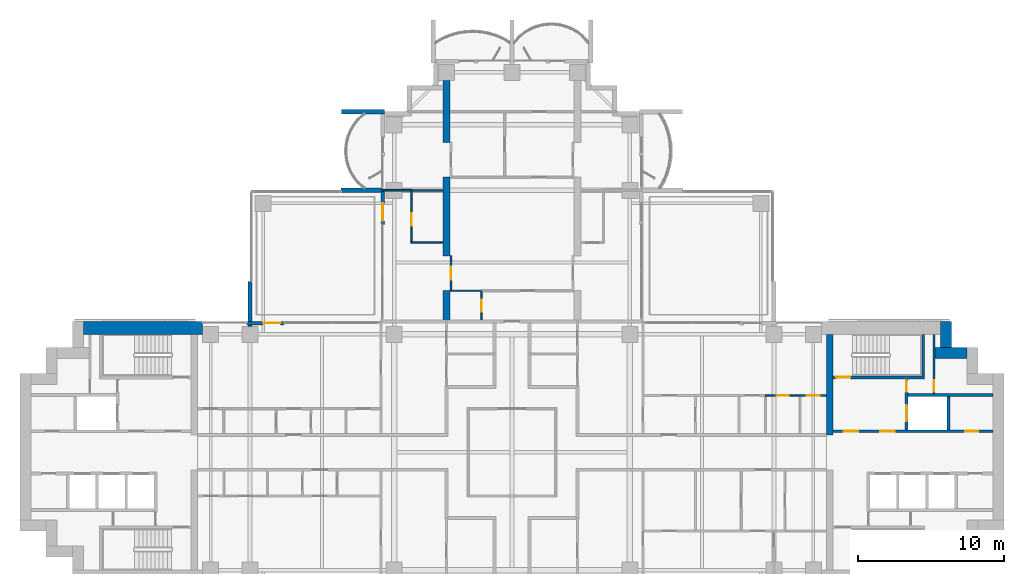
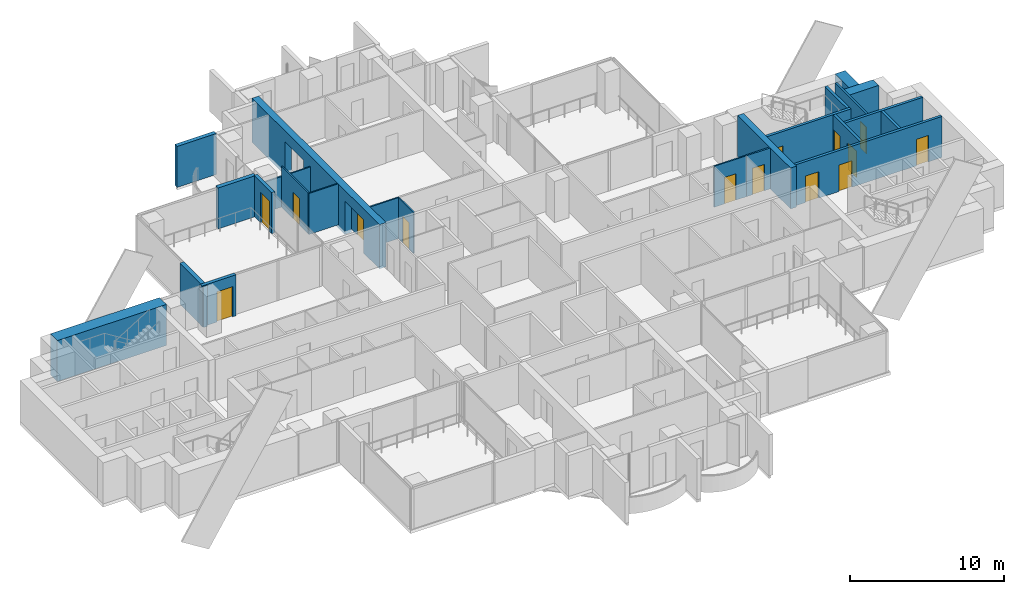
# One storey, part 13 of 19: 26 walls, 14 doors, 14 openings.
"""IFC4 building model written with IfcOpenShell, lengths in metres."""

from ifc_helpers import new_model, si_unit, direction, frame, frame_2d, origin, place, context, subcontext, project, spatial, polyline, rectangle, outline, extrude, material, layer, layer_set, material_profile, profile_set, type_object, element, fill, save


model = new_model("IFC4")

# Units and contexts
model_context = context("Model", 3, precision=1e-05, world=origin(), true_north=direction((0.0, 1.0)))
body_context = subcontext(model_context, "Body", "Model", "MODEL_VIEW")
ifc_project = project(units=[si_unit("LENGTHUNIT", "METRE"), si_unit("AREAUNIT", "SQUARE_METRE"), si_unit("VOLUMEUNIT", "CUBIC_METRE"), si_unit("PLANEANGLEUNIT", "RADIAN"), si_unit("MASSUNIT", "GRAM", prefix="KILO")], contexts=[model_context])

# Site, building, storey
site_placement = place(None, origin())
site = spatial("IfcSite", under=ifc_project, at=site_placement, CompositionType="ELEMENT")
building_placement = place(site_placement, origin())
building = spatial("IfcBuilding", under=site, at=building_placement, Name="Perihelion Cross Residences", CompositionType="ELEMENT")
storey_placement = place(building_placement, frame((0.0, 0.0, 105.89990234375)))
storey = spatial("IfcBuildingStorey", under=building, at=storey_placement, Name="L24", CompositionType="ELEMENT", Elevation=105.89990234375)

# Wall, opening, door
ifc_material_1 = material(Name="Concrete C30/37, bronze-clad", Category="concrete")
ifc_layer_1 = layer(ifc_material_1, 0.25)
ifc_layer_set_1 = layer_set([ifc_layer_1], Name="Bronze-clad pier wall 250")
wall_type_1 = type_object("IfcWallType", Name="Bronze-clad pier wall 250", PredefinedType="SOLIDWALL", material=ifc_layer_set_1)
wall_1_placement = place(storey_placement, frame((-8.875, 17.93994140625, 0.0), z_axis=(0.0, 0.0, 1.0), x_axis=(0.0, -1.0, 0.0)))
wall_1 = element("IfcWall", 1, at=wall_1_placement, inside=storey, type_object=wall_type_1, Name="Wall FW1 L24 north side west bay 2 pier", PredefinedType="SOLIDWALL", context=body_context, shape_type="SweptSolid", body=[
    extrude(rectangle(XDim=2.2900390625, YDim=0.25, at=frame_2d((1.14501953125, 0.0))), origin(), (0.0, 0.0, 1.0), 3.25),
])
opening_1_placement = place(wall_1_placement, frame((0.840087890625, 0.0, 0.0)))
opening_1 = element("IfcOpeningElement", 2, at=opening_1_placement, cuts=wall_1, Name="Opening L24.E07", PredefinedType="OPENING", context=body_context, shape_type="SweptSolid", body=[
    extrude(rectangle(XDim=1.199951171875, YDim=2.39990234375, at=frame_2d((0.60009765625, 1.199951171875))), frame((0.0, 0.135009765625, 0.0), z_axis=(0.0, -1.0, 0.0), x_axis=(1.0, 0.0, 0.0)), (0.0, 0.0, 1.0), 0.27001953125),
])
ifc_material_2 = material(Name="Bronze anodised aluminium, glazed", Category="aluminium")
door_type_1 = type_object("IfcDoorType", Name="Balcony door 1200 x 2400", OperationType="NOTDEFINED", PredefinedType="DOOR", material=ifc_material_2)
door_1_placement = place(opening_1_placement, origin())
door_1 = element("IfcDoor", 3, at=door_1_placement, inside=storey, type_object=door_type_1, Name="Door L24.E07 north side west bay 2", OperationType="SINGLE_SWING_RIGHT", OverallHeight=2.39990234375, OverallWidth=1.199951171875, PredefinedType="DOOR", context=body_context, shape_type="SweptSolid", body=[
    extrude(rectangle(XDim=1.199951171875, YDim=2.39990234375, at=frame_2d((0.60009765625, 1.199951171875))), frame((0.0, 0.02490234375, 0.0), z_axis=(0.0, -1.0, 0.0), x_axis=(1.0, 0.0, 0.0)), (0.0, 0.0, 1.0), 0.050048828125),
])
fill(opening_1, door_1)

wall_2_placement = place(storey_placement, frame((-15.64990234375, 8.875, 0.0), z_axis=(0.0, 0.0, 1.0), x_axis=(-1.0, 0.0, 0.0)))
wall_2 = element("IfcWall", 4, at=wall_2_placement, inside=storey, type_object=wall_type_1, Name="Wall FW1 L24 west side north bay 1 pier", PredefinedType="SOLIDWALL", context=body_context, shape_type="SweptSolid", body=[
    extrude(rectangle(XDim=2.550048828125, YDim=0.25, at=frame_2d((1.27490234375, 0.0))), origin(), (0.0, 0.0, 1.0), 3.25),
])
opening_2_placement = place(wall_2_placement, frame((0.25, 0.0, 0.0)))
opening_2 = element("IfcOpeningElement", 5, at=opening_2_placement, cuts=wall_2, Name="Opening L24.E08", PredefinedType="OPENING", context=body_context, shape_type="SweptSolid", body=[
    extrude(rectangle(XDim=1.199951171875, YDim=2.39990234375, at=frame_2d((0.60009765625, 1.199951171875))), frame((0.0, 0.135009765625, 0.0), z_axis=(0.0, -1.0, 0.0), x_axis=(1.0, 0.0, 0.0)), (0.0, 0.0, 1.0), 0.27001953125),
])
door_2_placement = place(opening_2_placement, origin())
door_2 = element("IfcDoor", 6, at=door_2_placement, inside=storey, type_object=door_type_1, Name="Door L24.E08 west side north bay 1", OperationType="SINGLE_SWING_LEFT", OverallHeight=2.39990234375, OverallWidth=1.199951171875, PredefinedType="DOOR", context=body_context, shape_type="SweptSolid", body=[
    extrude(rectangle(XDim=1.199951171875, YDim=2.39990234375, at=frame_2d((0.60009765625, 1.199951171875))), frame((0.0, 0.02490234375, 0.0), z_axis=(0.0, -1.0, 0.0), x_axis=(1.0, 0.0, 0.0)), (0.0, 0.0, 1.0), 0.050048828125),
])
fill(opening_2, door_2)

# Walls
ifc_material_3 = material(Name="Concrete C60/75", Category="concrete")
ifc_layer_2 = layer(ifc_material_3, 0.449951171875)
ifc_layer_set_2 = layer_set([ifc_layer_2], Name="Core wall, inner 450")
wall_type_2 = type_object("IfcWallType", Name="Core wall, inner 450", PredefinedType="SHEAR", material=ifc_layer_set_2)
wall_3_placement = place(storey_placement, frame((21.824951171875, 1.199951171875, 0.0), z_axis=(0.0, 0.0, 1.0), x_axis=(0.0, 1.0, 0.0)))
element("IfcWall", 7, at=wall_3_placement, inside=storey, type_object=wall_type_2, Name="East core core wall, inner", PredefinedType="SHEAR", context=body_context, shape_type="SweptSolid", body=[
    extrude(rectangle(XDim=6.900146484375, YDim=0.449951171875, at=frame_2d((3.4501953125, 0.0))), origin(), (0.0, 0.0, 1.0), 3.25),
])
ifc_material_4 = material(Name="Concrete C60/75", Category="concrete")
ifc_layer_3 = layer(ifc_material_4, 0.75)
ifc_layer_set_3 = layer_set([ifc_layer_3], Name="Core wall, outer 750")
wall_type_3 = type_object("IfcWallType", Name="Core wall, outer 750", PredefinedType="SHEAR", material=ifc_layer_set_3)
wall_4_placement = place(storey_placement, frame((29.074951171875, 6.824951171875, 0.0), z_axis=(0.0, 0.0, 1.0), x_axis=(1.0, 0.0, 0.0)))
element("IfcWall", 8, at=wall_4_placement, inside=storey, type_object=wall_type_3, Name="East core core wall, outer", PredefinedType="SHEAR", context=body_context, shape_type="SweptSolid", body=[
    extrude(rectangle(XDim=2.175048828125, YDim=0.75, at=frame_2d((1.08740234375, 0.0))), origin(), (0.0, 0.0, 1.0), 3.25),
])
wall_5_placement = place(storey_placement, frame((29.824951171875, 7.199951171875, 0.0), z_axis=(0.0, 0.0, 1.0), x_axis=(0.0, 1.0, 0.0)))
element("IfcWall", 9, at=wall_5_placement, inside=storey, type_object=wall_type_3, Name="East core core wall, outer", PredefinedType="SHEAR", context=body_context, shape_type="SweptSolid", body=[
    extrude(rectangle(XDim=1.800048828125, YDim=0.75, at=frame_2d((0.89990234375, 0.0))), origin(), (0.0, 0.0, 1.0), 3.25),
])
ifc_material_5 = material(Name="Concrete C60/75", Category="concrete")
ifc_layer_4 = layer(ifc_material_5, 0.89990234375)
ifc_layer_set_4 = layer_set([ifc_layer_4], Name="Core wall, outer 900")
wall_type_4 = type_object("IfcWallType", Name="Core wall, outer 900", PredefinedType="SHEAR", material=ifc_layer_set_4)
wall_6_placement = place(storey_placement, frame((-29.449951171875, 8.550048828125, 0.0), z_axis=(0.0, 0.0, 1.0), x_axis=(1.0, 0.0, 0.0)))
element("IfcWall", 10, at=wall_6_placement, inside=storey, type_object=wall_type_4, Name="West core core wall, outer", PredefinedType="SHEAR", context=body_context, shape_type="SweptSolid", body=[
    extrude(rectangle(XDim=8.199951171875, YDim=0.89990234375, at=frame_2d((4.10009765625, 0.0))), origin(), (0.0, 0.0, 1.0), 3.25),
])

# Wall, opening, door
ifc_material_6 = material(Name="Plasterboard partition")
ifc_layer_5 = layer(ifc_material_6, 0.1201171875)
ifc_layer_set_5 = layer_set([ifc_layer_5], Name="Infill panel 120")
wall_type_5 = type_object("IfcWallType", Name="Infill panel 120", PredefinedType="PARTITIONING", material=ifc_layer_set_5)
wall_7_placement = place(storey_placement, frame((-4.18994140625, 11.10009765625, 0.0), z_axis=(0.0, 0.0, 1.0), x_axis=(0.0, 1.0, 0.0)))
wall_7 = element("IfcWall", 11, at=wall_7_placement, inside=storey, type_object=wall_type_5, Name="Partition L24 WI03", PredefinedType="PARTITIONING", context=body_context, shape_type="SweptSolid", body=[
    extrude(rectangle(XDim=2.39990234375, YDim=0.1201171875, at=frame_2d((1.199951171875, 0.0))), origin(), (0.0, 0.0, 1.0), 2.400146484375),
])
opening_3_placement = place(wall_7_placement, frame((0.75, 0.0, 0.0)))
opening_3 = element("IfcOpeningElement", 12, at=opening_3_placement, cuts=wall_7, Name="Opening L24.A52", PredefinedType="OPENING", context=body_context, shape_type="SweptSolid", body=[
    extrude(rectangle(XDim=0.89990234375, YDim=2.10009765625, at=frame_2d((0.449951171875, 1.050048828125))), frame((0.0, 0.070068359375, 0.0), z_axis=(0.0, -1.0, 0.0), x_axis=(1.0, 0.0, 0.0)), (0.0, 0.0, 1.0), 0.14013671875),
])
ifc_material_7 = material(Name="Timber door leaf", Category="wood")
door_type_2 = type_object("IfcDoorType", Name="Interior room door 900 x 2100", OperationType="SINGLE_SWING_LEFT", PredefinedType="DOOR", material=ifc_material_7)
door_3_placement = place(opening_3_placement, origin())
door_3 = element("IfcDoor", 13, at=door_3_placement, inside=storey, type_object=door_type_2, Name="Door L24.A52", OperationType="SINGLE_SWING_LEFT", OverallHeight=2.10009765625, OverallWidth=0.89990234375, PredefinedType="DOOR", context=body_context, shape_type="SweptSolid", body=[
    extrude(rectangle(XDim=0.89990234375, YDim=2.10009765625, at=frame_2d((0.449951171875, 1.050048828125))), frame((0.0, 0.02490234375, 0.0), z_axis=(0.0, -1.0, 0.0), x_axis=(1.0, 0.0, 0.0)), (0.0, 0.0, 1.0), 0.050048828125),
])
fill(opening_3, door_3)

ifc_material_8 = material(Name="Plasterboard partition")
ifc_layer_6 = layer(ifc_material_8, 0.1201171875)
ifc_layer_set_6 = layer_set([ifc_layer_6], Name="Partition wall 120")
wall_type_6 = type_object("IfcWallType", Name="Partition wall 120", PredefinedType="PARTITIONING", material=ifc_layer_set_6)
wall_8_placement = place(storey_placement, frame((19.800048828125, 3.89990234375, 0.0), z_axis=(0.0, 0.0, 1.0), x_axis=(1.0, 0.0, 0.0)))
wall_8 = element("IfcWall", 14, at=wall_8_placement, inside=storey, type_object=wall_type_6, Name="Partition L24 W030", PredefinedType="PARTITIONING", context=body_context, shape_type="SweptSolid", body=[
    extrude(rectangle(XDim=1.800048828125, YDim=0.1201171875, at=frame_2d((0.89990234375, 0.0))), origin(), (0.0, 0.0, 1.0), 3.25),
])
opening_4_placement = place(wall_8_placement, frame((0.449951171875, 0.0, 0.0)))
opening_4 = element("IfcOpeningElement", 15, at=opening_4_placement, cuts=wall_8, Name="Opening L24.A03", PredefinedType="OPENING", context=body_context, shape_type="SweptSolid", body=[
    extrude(rectangle(XDim=0.89990234375, YDim=2.10009765625, at=frame_2d((0.449951171875, 1.050048828125))), frame((0.0, 0.070068359375, 0.0), z_axis=(0.0, -1.0, 0.0), x_axis=(1.0, 0.0, 0.0)), (0.0, 0.0, 1.0), 0.14013671875),
])
door_4_placement = place(opening_4_placement, origin())
door_4 = element("IfcDoor", 16, at=door_4_placement, inside=storey, type_object=door_type_2, Name="Door L24.A03", OperationType="SINGLE_SWING_RIGHT", OverallHeight=2.10009765625, OverallWidth=0.89990234375, PredefinedType="DOOR", context=body_context, shape_type="SweptSolid", body=[
    extrude(rectangle(XDim=0.89990234375, YDim=2.10009765625, at=frame_2d((0.449951171875, 1.050048828125))), frame((0.0, 0.02490234375, 0.0), z_axis=(0.0, -1.0, 0.0), x_axis=(1.0, 0.0, 0.0)), (0.0, 0.0, 1.0), 0.050048828125),
])
fill(opening_4, door_4)

# Walls
wall_9_placement = place(storey_placement, frame((-8.919921875, 18.0, 0.0), z_axis=(0.0, 0.0, 1.0), x_axis=(1.0, 0.0, 0.0)))
element("IfcWall", 17, at=wall_9_placement, inside=storey, type_object=wall_type_6, Name="Partition L24 W075", PredefinedType="PARTITIONING", context=body_context, shape_type="SweptSolid", body=[
    extrude(rectangle(XDim=2.02001953125, YDim=0.1201171875, at=frame_2d((1.010009765625, 0.0))), origin(), (0.0, 0.0, 1.0), 2.4140625),
])
ifc_material_9 = material(Name="Precast concrete C50/60", Category="concrete")
ifc_layer_7 = layer(ifc_material_9, 0.300048828125)
ifc_layer_set_7 = layer_set([ifc_layer_7], Name="Precast concrete C50/60 blade wall 300")
wall_type_7 = type_object("IfcWallType", Name="Precast concrete C50/60 blade wall 300", PredefinedType="SOLIDWALL", material=ifc_layer_set_7)
wall_10_placement = place(storey_placement, frame((-18.0, 8.64990234375, 0.0), z_axis=(0.0, 0.0, 1.0), x_axis=(0.0, 1.0, 0.0)))
element("IfcWall", 18, at=wall_10_placement, inside=storey, type_object=wall_type_7, Name="Wall BL1 L24 no. 2", PredefinedType="SOLIDWALL", context=body_context, shape_type="SweptSolid", body=[
    extrude(rectangle(XDim=3.090087890625, YDim=0.300048828125, at=frame_2d((1.544921875, 0.0))), origin(), (0.0, 0.0, 1.0), 3.25),
])
wall_11_placement = place(storey_placement, frame((-8.919921875, 18.0, 0.0), z_axis=(0.0, 0.0, 1.0), x_axis=(-1.0, 0.0, 0.0)))
element("IfcWall", 19, at=wall_11_placement, inside=storey, type_object=wall_type_7, Name="Wall BL1 L24 no. 6", PredefinedType="SOLIDWALL", context=body_context, shape_type="SweptSolid", body=[
    extrude(rectangle(XDim=2.820068359375, YDim=0.300048828125, at=frame_2d((1.41015625, 0.0))), origin(), (0.0, 0.0, 1.0), 3.25),
])
wall_12_placement = place(storey_placement, frame((-8.75, 23.39990234375, 0.0), z_axis=(0.0, 0.0, 1.0), x_axis=(-1.0, 0.0, 0.0)))
element("IfcWall", 20, at=wall_12_placement, inside=storey, type_object=wall_type_7, Name="Wall BL1 L24 no. 7", PredefinedType="SOLIDWALL", context=body_context, shape_type="SweptSolid", body=[
    extrude(rectangle(XDim=2.949951171875, YDim=0.300048828125, at=frame_2d((1.47509765625, 0.0))), origin(), (0.0, 0.0, 1.0), 3.25),
])

# Wall, opening, door
ifc_material_10 = material(Name="Fire-rated board on steel stud", Category="steel")
ifc_layer_8 = layer(ifc_material_10, 0.14990234375)
ifc_layer_set_8 = layer_set([ifc_layer_8], Name="Riser wall 150")
wall_type_8 = type_object("IfcWallType", Name="Riser wall 150", PredefinedType="PARTITIONING", material=ifc_layer_set_8)
wall_13_placement = place(storey_placement, frame((29.0, 4.050048828125, 0.0), z_axis=(0.0, 0.0, 1.0), x_axis=(0.0, 1.0, 0.0)))
wall_13 = element("IfcWall", 21, at=wall_13_placement, inside=storey, type_object=wall_type_8, Name="East core riser wall", PredefinedType="PARTITIONING", context=body_context, shape_type="SweptSolid", body=[
    extrude(rectangle(XDim=4.050048828125, YDim=0.14990234375, at=frame_2d((2.02490234375, 0.0))), origin(), (0.0, 0.0, 1.0), 3.25),
])
opening_5_placement = place(wall_13_placement, frame((0.10009765625, 0.0, 0.0)))
opening_5 = element("IfcOpeningElement", 22, at=opening_5_placement, cuts=wall_13, Name="Opening L24.C12", PredefinedType="OPENING", context=body_context, shape_type="SweptSolid", body=[
    extrude(rectangle(XDim=0.800048828125, YDim=2.10009765625, at=frame_2d((0.39990234375, 1.050048828125))), frame((0.0, 0.0849609375, 0.0), z_axis=(0.0, -1.0, 0.0), x_axis=(1.0, 0.0, 0.0)), (0.0, 0.0, 1.0), 0.169921875),
])
ifc_material_11 = material(Name="Steel, powder coated", Category="steel")
door_type_3 = type_object("IfcDoorType", Name="Riser door 800", OperationType="SINGLE_SWING_LEFT", PredefinedType="DOOR", material=ifc_material_11)
door_5_placement = place(opening_5_placement, origin())
door_5 = element("IfcDoor", 23, at=door_5_placement, inside=storey, type_object=door_type_3, Name="East core riser door", OperationType="SINGLE_SWING_LEFT", OverallHeight=2.10009765625, OverallWidth=0.800048828125, PredefinedType="DOOR", context=body_context, shape_type="SweptSolid", body=[
    extrude(rectangle(XDim=0.800048828125, YDim=2.10009765625, at=frame_2d((0.39990234375, 1.050048828125))), frame((0.0, 0.02490234375, 0.0), z_axis=(0.0, -1.0, 0.0), x_axis=(1.0, 0.0, 0.0)), (0.0, 0.0, 1.0), 0.050048828125),
])
fill(opening_5, door_5)

# Wall, openings, doors
ifc_material_12 = material(Name="Concrete C50/60", Category="concrete")
ifc_layer_9 = layer(ifc_material_12, 0.199951171875)
ifc_layer_set_9 = layer_set([ifc_layer_9], Name="Shaft wall 200")
wall_type_9 = type_object("IfcWallType", Name="Shaft wall 200", PredefinedType="SOLIDWALL", material=ifc_layer_set_9)
wall_14_placement = place(storey_placement, frame((22.050048828125, 1.449951171875, 0.0), z_axis=(0.0, 0.0, 1.0), x_axis=(1.0, 0.0, 0.0)))
wall_14 = element("IfcWall", 24, at=wall_14_placement, inside=storey, type_object=wall_type_9, Name="East core shaft wall", PredefinedType="SOLIDWALL", context=body_context, shape_type="SweptSolid", body=[
    extrude(rectangle(XDim=11.0, YDim=0.199951171875, at=frame_2d((5.5, 0.0))), origin(), (0.0, 0.0, 1.0), 3.25),
])
opening_6_placement = place(wall_14_placement, frame((0.75, 0.0, 0.0)))
opening_6 = element("IfcOpeningElement", 25, at=opening_6_placement, cuts=wall_14, Name="Opening L24.C07", PredefinedType="OPENING", context=body_context, shape_type="SweptSolid", body=[
    extrude(rectangle(XDim=1.0, YDim=2.10009765625, at=frame_2d((0.5, 1.050048828125))), frame((0.0, 0.10986328125, 0.0), z_axis=(0.0, -1.0, 0.0), x_axis=(1.0, 0.0, 0.0)), (0.0, 0.0, 1.0), 0.219970703125),
])
opening_7_placement = place(wall_14_placement, frame((3.25, 0.0, 0.0)))
opening_7 = element("IfcOpeningElement", 26, at=opening_7_placement, cuts=wall_14, Name="Opening L24.C09", PredefinedType="OPENING", context=body_context, shape_type="SweptSolid", body=[
    extrude(rectangle(XDim=1.0, YDim=2.10009765625, at=frame_2d((0.5, 1.050048828125))), frame((0.0, 0.10986328125, 0.0), z_axis=(0.0, -1.0, 0.0), x_axis=(1.0, 0.0, 0.0)), (0.0, 0.0, 1.0), 0.219970703125),
])
opening_8_placement = place(wall_14_placement, frame((9.074951171875, 0.0, 0.0)))
opening_8 = element("IfcOpeningElement", 27, at=opening_8_placement, cuts=wall_14, Name="Opening L24.C13", PredefinedType="OPENING", context=body_context, shape_type="SweptSolid", body=[
    extrude(rectangle(XDim=0.89990234375, YDim=2.10009765625, at=frame_2d((0.449951171875, 1.050048828125))), frame((0.0, 0.10986328125, 0.0), z_axis=(0.0, -1.0, 0.0), x_axis=(1.0, 0.0, 0.0)), (0.0, 0.0, 1.0), 0.219970703125),
])
ifc_material_13 = material(Name="Steel, powder coated", Category="steel")
door_type_4 = type_object("IfcDoorType", Name="Lobby door 1000", OperationType="SINGLE_SWING_LEFT", PredefinedType="DOOR", material=ifc_material_13)
door_6_placement = place(opening_6_placement, origin())
door_6 = element("IfcDoor", 28, at=door_6_placement, inside=storey, type_object=door_type_4, Name="East core firefighting lobby door", OperationType="SINGLE_SWING_LEFT", OverallHeight=2.10009765625, OverallWidth=1.0, PredefinedType="DOOR", context=body_context, shape_type="SweptSolid", body=[
    extrude(rectangle(XDim=1.0, YDim=2.10009765625, at=frame_2d((0.5, 1.050048828125))), frame((0.0, 0.02490234375, 0.0), z_axis=(0.0, -1.0, 0.0), x_axis=(1.0, 0.0, 0.0)), (0.0, 0.0, 1.0), 0.050048828125),
])
fill(opening_6, door_6)
door_7_placement = place(opening_7_placement, origin())
door_7 = element("IfcDoor", 29, at=door_7_placement, inside=storey, type_object=door_type_4, Name="East core firefighting lobby door", OperationType="SINGLE_SWING_LEFT", OverallHeight=2.10009765625, OverallWidth=1.0, PredefinedType="DOOR", context=body_context, shape_type="SweptSolid", body=[
    extrude(rectangle(XDim=1.0, YDim=2.10009765625, at=frame_2d((0.5, 1.050048828125))), frame((0.0, 0.02490234375, 0.0), z_axis=(0.0, -1.0, 0.0), x_axis=(1.0, 0.0, 0.0)), (0.0, 0.0, 1.0), 0.050048828125),
])
fill(opening_7, door_7)
ifc_material_14 = material(Name="Steel, powder coated", Category="steel")
door_type_5 = type_object("IfcDoorType", Name="Service room door 900", OperationType="SINGLE_SWING_LEFT", PredefinedType="DOOR", material=ifc_material_14)
door_8_placement = place(opening_8_placement, origin())
door_8 = element("IfcDoor", 30, at=door_8_placement, inside=storey, type_object=door_type_5, Name="East core service room door", OperationType="SINGLE_SWING_LEFT", OverallHeight=2.10009765625, OverallWidth=0.89990234375, PredefinedType="DOOR", context=body_context, shape_type="SweptSolid", body=[
    extrude(rectangle(XDim=0.89990234375, YDim=2.10009765625, at=frame_2d((0.449951171875, 1.050048828125))), frame((0.0, 0.02490234375, 0.0), z_axis=(0.0, -1.0, 0.0), x_axis=(1.0, 0.0, 0.0)), (0.0, 0.0, 1.0), 0.050048828125),
])
fill(opening_8, door_8)

# Wall
wall_15_placement = place(storey_placement, frame((27.199951171875, 3.949951171875, 0.0), z_axis=(0.0, 0.0, 1.0), x_axis=(1.0, 0.0, 0.0)))
element("IfcWall", 31, at=wall_15_placement, inside=storey, type_object=wall_type_9, Name="East core shaft wall", PredefinedType="SOLIDWALL", context=body_context, shape_type="SweptSolid", body=[
    extrude(rectangle(XDim=5.85009765625, YDim=0.199951171875, at=frame_2d((2.925048828125, 0.0))), origin(), (0.0, 0.0, 1.0), 3.25),
])

# Wall, openings, doors
wall_16_placement = place(storey_placement, frame((27.10009765625, 1.550048828125, 0.0), z_axis=(0.0, 0.0, 1.0), x_axis=(0.0, 1.0, 0.0)))
wall_16 = element("IfcWall", 32, at=wall_16_placement, inside=storey, type_object=wall_type_9, Name="East core shaft wall", PredefinedType="SOLIDWALL", context=body_context, shape_type="SweptSolid", body=[
    extrude(rectangle(XDim=3.5, YDim=0.199951171875, at=frame_2d((1.75, 0.0))), origin(), (0.0, 0.0, 1.0), 3.25),
])
opening_9_placement = place(wall_16_placement, frame((0.60009765625, 0.0, 0.0)))
opening_9 = element("IfcOpeningElement", 33, at=opening_9_placement, cuts=wall_16, Name="Opening L24.C02", PredefinedType="OPENING", context=body_context, shape_type="SweptSolid", body=[
    extrude(rectangle(XDim=1.10009765625, YDim=2.10009765625, at=frame_2d((0.550048828125, 1.050048828125))), frame((0.0, 0.10986328125, 0.0), z_axis=(0.0, -1.0, 0.0), x_axis=(1.0, 0.0, 0.0)), (0.0, 0.0, 1.0), 0.219970703125),
])
opening_10_placement = place(wall_16_placement, frame((2.60009765625, 0.0, 0.0)))
opening_10 = element("IfcOpeningElement", 34, at=opening_10_placement, cuts=wall_16, Name="Opening L24.C10", PredefinedType="OPENING", context=body_context, shape_type="SweptSolid", body=[
    extrude(rectangle(XDim=0.800048828125, YDim=2.10009765625, at=frame_2d((0.39990234375, 1.050048828125))), frame((0.0, 0.10986328125, 0.0), z_axis=(0.0, -1.0, 0.0), x_axis=(1.0, 0.0, 0.0)), (0.0, 0.0, 1.0), 0.219970703125),
])
ifc_material_15 = material(Name="Stainless steel", Category="steel")
door_type_6 = type_object("IfcDoorType", Name="Landing door, firefighting lift 1100", OperationType="DOUBLE_DOOR_SLIDING", PredefinedType="DOOR", material=ifc_material_15)
door_9_placement = place(opening_9_placement, origin())
door_9 = element("IfcDoor", 35, at=door_9_placement, inside=storey, type_object=door_type_6, Name="Landing door, East core firefighting and service lift", OperationType="DOUBLE_DOOR_SLIDING", OverallHeight=2.10009765625, OverallWidth=1.10009765625, PredefinedType="DOOR", context=body_context, shape_type="SweptSolid", body=[
    extrude(rectangle(XDim=1.10009765625, YDim=2.10009765625, at=frame_2d((0.550048828125, 1.050048828125))), frame((0.0, 0.02490234375, 0.0), z_axis=(0.0, -1.0, 0.0), x_axis=(1.0, 0.0, 0.0)), (0.0, 0.0, 1.0), 0.050048828125),
])
fill(opening_9, door_9)
door_10_placement = place(opening_10_placement, origin())
door_10 = element("IfcDoor", 36, at=door_10_placement, inside=storey, type_object=door_type_3, Name="East core riser door", OperationType="SINGLE_SWING_LEFT", OverallHeight=2.10009765625, OverallWidth=0.800048828125, PredefinedType="DOOR", context=body_context, shape_type="SweptSolid", body=[
    extrude(rectangle(XDim=0.800048828125, YDim=2.10009765625, at=frame_2d((0.39990234375, 1.050048828125))), frame((0.0, 0.02490234375, 0.0), z_axis=(0.0, -1.0, 0.0), x_axis=(1.0, 0.0, 0.0)), (0.0, 0.0, 1.0), 0.050048828125),
])
fill(opening_10, door_10)

# Wall
wall_17_placement = place(storey_placement, frame((30.0, 1.550048828125, 0.0), z_axis=(0.0, 0.0, 1.0), x_axis=(0.0, 1.0, 0.0)))
element("IfcWall", 37, at=wall_17_placement, inside=storey, type_object=wall_type_9, Name="East core shaft wall", PredefinedType="SOLIDWALL", context=body_context, shape_type="SweptSolid", body=[
    extrude(rectangle(XDim=2.300048828125, YDim=0.199951171875, at=frame_2d((1.14990234375, 0.0))), origin(), (0.0, 0.0, 1.0), 3.25),
])

# Wall, opening, door
ifc_material_16 = material(Name="Concrete C50/60", Category="concrete")
ifc_layer_10 = layer(ifc_material_16, 0.199951171875)
ifc_layer_set_10 = layer_set([ifc_layer_10], Name="Stair wall 200")
wall_type_10 = type_object("IfcWallType", Name="Stair wall 200", PredefinedType="SOLIDWALL", material=ifc_layer_set_10)
wall_18_placement = place(storey_placement, frame((22.050048828125, 5.14990234375, 0.0), z_axis=(0.0, 0.0, 1.0), x_axis=(1.0, 0.0, 0.0)))
wall_18 = element("IfcWall", 38, at=wall_18_placement, inside=storey, type_object=wall_type_10, Name="East core stair wall", PredefinedType="SOLIDWALL", context=body_context, shape_type="SweptSolid", body=[
    extrude(rectangle(XDim=6.300048828125, YDim=0.199951171875, at=frame_2d((3.14990234375, 0.0))), origin(), (0.0, 0.0, 1.0), 3.25),
])
opening_11_placement = place(wall_18_placement, frame((0.199951171875, 0.0, 0.0)))
opening_11 = element("IfcOpeningElement", 39, at=opening_11_placement, cuts=wall_18, Name="Opening L24.C06", PredefinedType="OPENING", context=body_context, shape_type="SweptSolid", body=[
    extrude(rectangle(XDim=1.0, YDim=2.10009765625, at=frame_2d((0.5, 1.050048828125))), frame((0.0, 0.10986328125, 0.0), z_axis=(0.0, -1.0, 0.0), x_axis=(1.0, 0.0, 0.0)), (0.0, 0.0, 1.0), 0.219970703125),
])
ifc_material_17 = material(Name="Steel, powder coated", Category="steel")
door_type_7 = type_object("IfcDoorType", Name="Stair door 1000", OperationType="SINGLE_SWING_LEFT", PredefinedType="DOOR", material=ifc_material_17)
door_11_placement = place(opening_11_placement, origin())
door_11 = element("IfcDoor", 40, at=door_11_placement, inside=storey, type_object=door_type_7, Name="East core stair door", OperationType="SINGLE_SWING_LEFT", OverallHeight=2.10009765625, OverallWidth=1.0, PredefinedType="DOOR", context=body_context, shape_type="SweptSolid", body=[
    extrude(rectangle(XDim=1.0, YDim=2.10009765625, at=frame_2d((0.5, 1.050048828125))), frame((0.0, 0.02490234375, 0.0), z_axis=(0.0, -1.0, 0.0), x_axis=(1.0, 0.0, 0.0)), (0.0, 0.0, 1.0), 0.050048828125),
])
fill(opening_11, door_11)

# Walls
wall_19_placement = place(storey_placement, frame((28.25, 5.25, 0.0), z_axis=(0.0, 0.0, 1.0), x_axis=(0.0, 1.0, 0.0)))
element("IfcWall", 41, at=wall_19_placement, inside=storey, type_object=wall_type_10, Name="East core stair wall", PredefinedType="SOLIDWALL", context=body_context, shape_type="SweptSolid", body=[
    extrude(rectangle(XDim=2.85009765625, YDim=0.199951171875, at=frame_2d((1.425048828125, 0.0))), origin(), (0.0, 0.0, 1.0), 3.25),
])
ifc_material_18 = material(Name="Concrete C60/75", Category="concrete")
ifc_material_profile = material_profile(ifc_material_18, outline(polyline([(0.0, 0.0), (2.10009765625, 0.0), (2.10009765625, 2.64990234375), (4.5, 2.64990234375), (4.5, 0.0), (9.89990234375, 0.0), (9.89990234375, 2.64990234375), (12.300048828125, 2.64990234375), (12.300048828125, 0.0), (16.550048828125, 0.0), (16.550048828125, 3.5), (0.0, 3.5), (0.0, 0.0)])), Name="Tip spine wall")
ifc_profile_set = profile_set([ifc_material_profile], Name="Concrete C60/75")
wall_type_11 = type_object("IfcWallType", Name="Tip spine wall 500 with 2 door openings 16550 long 3500 high concrete C60/75", PredefinedType="SHEAR", material=ifc_profile_set)
wall_20_placement = place(storey_placement, frame((-4.75, 9.0, -0.25), z_axis=(1.0, 0.0, 0.0), x_axis=(0.0, 1.0, 0.0)))
element("IfcWall", 42, at=wall_20_placement, inside=storey, type_object=wall_type_11, Name="Shear wall SW34 L24 north west", PredefinedType="SHEAR", context=body_context, shape_type="SweptSolid", body=[
    extrude(outline(polyline([(0.0, 0.0), (2.10009765625, 0.0), (2.10009765625, 2.64990234375), (4.5, 2.64990234375), (4.5, 0.0), (9.89990234375, 0.0), (9.89990234375, 2.64990234375), (12.300048828125, 2.64990234375), (12.300048828125, 0.0), (16.550048828125, 0.0), (16.550048828125, 3.5), (0.0, 3.5), (0.0, 0.0)])), origin(), (0.0, 0.0, 1.0), 0.5),
])

# Wall, opening, door
ifc_material_19 = material(Name="Plasterboard partition")
ifc_layer_11 = layer(ifc_material_19, 0.10009765625)
ifc_layer_set_11 = layer_set([ifc_layer_11], Name="Wet room wall 100")
wall_type_12 = type_object("IfcWallType", Name="Wet room wall 100", PredefinedType="PARTITIONING", material=ifc_layer_set_11)
wall_21_placement = place(storey_placement, frame((17.39990234375, 3.89990234375, 0.0), z_axis=(0.0, 0.0, 1.0), x_axis=(1.0, 0.0, 0.0)))
wall_21 = element("IfcWall", 43, at=wall_21_placement, inside=storey, type_object=wall_type_12, Name="Partition L24 W029", PredefinedType="PARTITIONING", context=body_context, shape_type="SweptSolid", body=[
    extrude(rectangle(XDim=2.400146484375, YDim=0.10009765625, at=frame_2d((1.2001953125, 0.0))), origin(), (0.0, 0.0, 1.0), 3.25),
])
opening_12_placement = place(wall_21_placement, frame((0.77490234375, 0.0, 0.0)))
opening_12 = element("IfcOpeningElement", 44, at=opening_12_placement, cuts=wall_21, Name="Opening L24.A02", PredefinedType="OPENING", context=body_context, shape_type="SweptSolid", body=[
    extrude(rectangle(XDim=0.85009765625, YDim=2.10009765625, at=frame_2d((0.425048828125, 1.050048828125))), frame((0.0, 0.06005859375, 0.0), z_axis=(0.0, -1.0, 0.0), x_axis=(1.0, 0.0, 0.0)), (0.0, 0.0, 1.0), 0.1201171875),
])
ifc_material_20 = material(Name="Timber door leaf", Category="wood")
door_type_8 = type_object("IfcDoorType", Name="Interior bathroom door 850 x 2100", OperationType="SINGLE_SWING_LEFT", PredefinedType="DOOR", material=ifc_material_20)
door_12_placement = place(opening_12_placement, origin())
door_12 = element("IfcDoor", 45, at=door_12_placement, inside=storey, type_object=door_type_8, Name="Door L24.A02", OperationType="SINGLE_SWING_RIGHT", OverallHeight=2.10009765625, OverallWidth=0.85009765625, PredefinedType="DOOR", context=body_context, shape_type="SweptSolid", body=[
    extrude(rectangle(XDim=0.85009765625, YDim=2.10009765625, at=frame_2d((0.425048828125, 1.050048828125))), frame((0.0, 0.02490234375, 0.0), z_axis=(0.0, -1.0, 0.0), x_axis=(1.0, 0.0, 0.0)), (0.0, 0.0, 1.0), 0.050048828125),
])
fill(opening_12, door_12)

wall_22_placement = place(storey_placement, frame((-2.10009765625, 9.10009765625, 0.0), z_axis=(0.0, 0.0, 1.0), x_axis=(0.0, 1.0, 0.0)))
wall_22 = element("IfcWall", 46, at=wall_22_placement, inside=storey, type_object=wall_type_12, Name="Partition L24 W062", PredefinedType="PARTITIONING", context=body_context, shape_type="SweptSolid", body=[
    extrude(rectangle(XDim=1.93994140625, YDim=0.10009765625, at=frame_2d((0.969970703125, 0.0))), origin(), (0.0, 0.0, 1.0), 3.25),
])
opening_13_placement = place(wall_22_placement, frame((0.544921875, 0.0, 0.0)))
opening_13 = element("IfcOpeningElement", 47, at=opening_13_placement, cuts=wall_22, Name="Opening L24.A33", PredefinedType="OPENING", context=body_context, shape_type="SweptSolid", body=[
    extrude(rectangle(XDim=0.85009765625, YDim=2.10009765625, at=frame_2d((0.425048828125, 1.050048828125))), frame((0.0, 0.06005859375, 0.0), z_axis=(0.0, -1.0, 0.0), x_axis=(1.0, 0.0, 0.0)), (0.0, 0.0, 1.0), 0.1201171875),
])
door_13_placement = place(opening_13_placement, origin())
door_13 = element("IfcDoor", 48, at=door_13_placement, inside=storey, type_object=door_type_8, Name="Door L24.A33", OperationType="SINGLE_SWING_LEFT", OverallHeight=2.10009765625, OverallWidth=0.85009765625, PredefinedType="DOOR", context=body_context, shape_type="SweptSolid", body=[
    extrude(rectangle(XDim=0.85009765625, YDim=2.10009765625, at=frame_2d((0.425048828125, 1.050048828125))), frame((0.0, 0.02490234375, 0.0), z_axis=(0.0, -1.0, 0.0), x_axis=(1.0, 0.0, 0.0)), (0.0, 0.0, 1.0), 0.050048828125),
])
fill(opening_13, door_13)

# Wall
wall_23_placement = place(storey_placement, frame((-4.25, 11.10009765625, 0.0), z_axis=(0.0, 0.0, 1.0), x_axis=(1.0, 0.0, 0.0)))
element("IfcWall", 49, at=wall_23_placement, inside=storey, type_object=wall_type_12, Name="Partition L24 W064", PredefinedType="PARTITIONING", context=body_context, shape_type="SweptSolid", body=[
    extrude(rectangle(XDim=2.14990234375, YDim=0.10009765625, at=frame_2d((1.074951171875, 0.0))), origin(), (0.0, 0.0, 1.0), 3.25),
])

# Wall, opening, door
wall_24_placement = place(storey_placement, frame((-6.89990234375, 17.93994140625, 0.0), z_axis=(0.0, 0.0, 1.0), x_axis=(0.0, -1.0, 0.0)))
wall_24 = element("IfcWall", 50, at=wall_24_placement, inside=storey, type_object=wall_type_12, Name="Partition L24 W073", PredefinedType="PARTITIONING", context=body_context, shape_type="SweptSolid", body=[
    extrude(rectangle(XDim=3.489990234375, YDim=0.10009765625, at=frame_2d((1.7451171875, 0.0))), origin(), (0.0, 0.0, 1.0), 3.25),
])
opening_14_placement = place(wall_24_placement, frame((1.52001953125, 0.0, 0.0)))
opening_14 = element("IfcOpeningElement", 51, at=opening_14_placement, cuts=wall_24, Name="Opening L24.A39", PredefinedType="OPENING", context=body_context, shape_type="SweptSolid", body=[
    extrude(rectangle(XDim=0.85009765625, YDim=2.10009765625, at=frame_2d((0.425048828125, 1.050048828125))), frame((0.0, 0.06005859375, 0.0), z_axis=(0.0, -1.0, 0.0), x_axis=(1.0, 0.0, 0.0)), (0.0, 0.0, 1.0), 0.1201171875),
])
door_14_placement = place(opening_14_placement, origin())
door_14 = element("IfcDoor", 52, at=door_14_placement, inside=storey, type_object=door_type_8, Name="Door L24.A39", OperationType="SINGLE_SWING_LEFT", OverallHeight=2.10009765625, OverallWidth=0.85009765625, PredefinedType="DOOR", context=body_context, shape_type="SweptSolid", body=[
    extrude(rectangle(XDim=0.85009765625, YDim=2.10009765625, at=frame_2d((0.425048828125, 1.050048828125))), frame((0.0, 0.02490234375, 0.0), z_axis=(0.0, -1.0, 0.0), x_axis=(1.0, 0.0, 0.0)), (0.0, 0.0, 1.0), 0.050048828125),
])
fill(opening_14, door_14)

# Walls
wall_25_placement = place(storey_placement, frame((-6.949951171875, 14.39990234375, 0.0), z_axis=(0.0, 0.0, 1.0), x_axis=(1.0, 0.0, 0.0)))
element("IfcWall", 53, at=wall_25_placement, inside=storey, type_object=wall_type_12, Name="Partition L24 W074", PredefinedType="PARTITIONING", context=body_context, shape_type="SweptSolid", body=[
    extrude(rectangle(XDim=2.199951171875, YDim=0.10009765625, at=frame_2d((1.10009765625, 0.0))), origin(), (0.0, 0.0, 1.0), 3.25),
])
wall_26_placement = place(storey_placement, frame((-6.89990234375, 18.0, 0.0), z_axis=(0.0, 0.0, 1.0), x_axis=(1.0, 0.0, 0.0)))
element("IfcWall", 54, at=wall_26_placement, inside=storey, type_object=wall_type_12, Name="Partition L24 W076", PredefinedType="PARTITIONING", context=body_context, shape_type="SweptSolid", body=[
    extrude(rectangle(XDim=2.14990234375, YDim=0.10009765625, at=frame_2d((1.074951171875, 0.0))), origin(), (0.0, 0.0, 1.0), 2.4140625),
])

save(model, "model.ifc")
